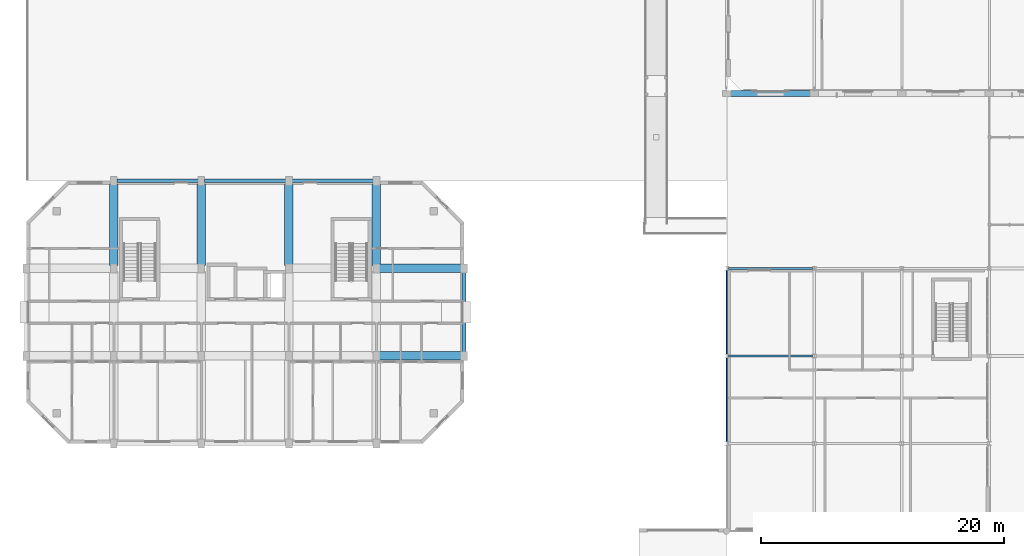
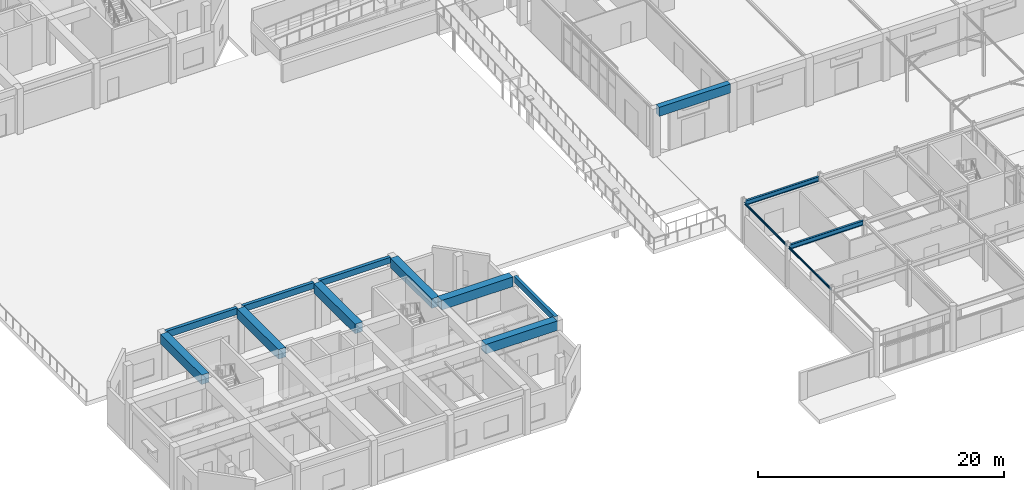
# One storey, part 25 of 85: 15 beams.
"""IFC4 building model written with IfcOpenShell, lengths in metres."""

from ifc_helpers import new_model, si_unit, direction, frame, origin, origin_2d, place, context, subcontext, project, spatial, rectangle, i_section, u_section, extrude, material, material_profile, profile_set, type_object, element, save


model = new_model("IFC4")

# Units and contexts
model_context = context("Model", 3, precision=1e-05, world=origin(), true_north=direction((0.0, 1.0)))
body_context = subcontext(model_context, "Body", "Model", "MODEL_VIEW")
ifc_project = project(units=[si_unit("LENGTHUNIT", "METRE"), si_unit("AREAUNIT", "SQUARE_METRE"), si_unit("VOLUMEUNIT", "CUBIC_METRE"), si_unit("PLANEANGLEUNIT", "RADIAN"), si_unit("MASSUNIT", "GRAM", prefix="KILO")], contexts=[model_context])

# Site, building, storey
site_placement = place(None, origin())
site = spatial("IfcSite", under=ifc_project, at=site_placement, CompositionType="ELEMENT")
building_placement = place(site_placement, origin())
building = spatial("IfcBuilding", under=site, at=building_placement, Name="Ochrevale Crest", CompositionType="ELEMENT")
storey_placement = place(building_placement, origin())
storey = spatial("IfcBuildingStorey", under=building, at=storey_placement, Name="L00", CompositionType="ELEMENT", Elevation=0.0)

# Beams
ifc_material_1 = material(Name="Steel S355", Category="steel")
ifc_material_profile_1 = material_profile(ifc_material_1, u_section(Depth=0.22998046875, FlangeWidth=0.074951171875, WebThickness=0.006591796875, FlangeThickness=0.011962890625, FilletRadius=0.011962890625, at=origin_2d()), Name="230PFC")
ifc_profile_set_1 = profile_set([ifc_material_profile_1], Name="Steel S355")
beam_type_1 = type_object("IfcBeamType", Name="BM-PFC230", PredefinedType="SPANDREL", material=ifc_profile_set_1)
for number, where, z_axis, x_axis, name in (
    (1, (57.60009765625, 14.550048828125, 4.06005859375), (0.0, 1.0, 0.0), (-1.0, 0.0, 0.0), "Retail arcade L00 N-S beam X=57.6"),
    (2, (57.60009765625, 21.75, 4.06005859375), (0.0, 1.0, 0.0), (-1.0, 0.0, 0.0), "Retail arcade L00 N-S beam X=57.6"),
):
    element("IfcBeam", number, at=place(storey_placement, frame(where, z_axis=z_axis, x_axis=x_axis)), inside=storey, type_object=beam_type_1, Name=name, PredefinedType="SPANDREL", context=body_context, shape_type="SweptSolid", body=[
        extrude(u_section(Depth=0.22998046875, FlangeWidth=0.074951171875, WebThickness=0.006591796875, FlangeThickness=0.011962890625, FilletRadius=0.011962890625, at=origin_2d()), origin(), (0.0, 0.0, 1.0), 6.89990234375),
    ])
ifc_material_2 = material(Name="Concrete C50/60", Category="concrete")
ifc_material_profile_2 = material_profile(ifc_material_2, rectangle(XDim=0.5, YDim=0.89990234375, at=origin_2d()), Name="RC 500x900")
ifc_profile_set_2 = profile_set([ifc_material_profile_2], Name="Concrete C50/60")
beam_type_2 = type_object("IfcBeamType", Name="BM-RB500x900", PredefinedType="BEAM", material=ifc_profile_set_2)
beam_1_placement = place(storey_placement, frame((57.844970703125, 43.199951171875, 4.35009765625), z_axis=(1.0, 0.0, 0.0), x_axis=(0.0, 1.0, 0.0)))
element("IfcBeam", 3, at=beam_1_placement, inside=storey, type_object=beam_type_2, Name="Vault springing ring beam RB-1-S", PredefinedType="BEAM", context=body_context, shape_type="SweptSolid", body=[
    extrude(rectangle(XDim=0.5, YDim=0.89990234375, at=origin_2d()), origin(), (0.0, 0.0, 1.0), 6.7099609375),
])
ifc_material_3 = material(Name="Precast concrete C40/50", Category="concrete")
ifc_material_profile_3 = material_profile(ifc_material_3, rectangle(XDim=0.300048828125, YDim=0.580078125, at=origin_2d()), Name="PC 300x580")
ifc_profile_set_3 = profile_set([ifc_material_profile_3], Name="Precast concrete C40/50")
beam_type_3 = type_object("IfcBeamType", Name="BM-SP300x580", PredefinedType="SPANDREL", material=ifc_profile_set_3)
beam_2_placement = place(storey_placement, frame((21.85009765625, 36.0, 4.2099609375), z_axis=(1.0, 0.0, 0.0), x_axis=(0.0, 1.0, 0.0)))
element("IfcBeam", 4, at=beam_2_placement, inside=storey, type_object=beam_type_3, Name="Block A L00 E-W beam Y=36.0", PredefinedType="SPANDREL", context=body_context, shape_type="SweptSolid", body=[
    extrude(rectangle(XDim=0.300048828125, YDim=0.580078125, at=origin_2d()), origin(), (0.0, 0.0, 1.0), 6.699951171875),
])
ifc_material_profile_4 = material_profile(ifc_material_3, rectangle(XDim=0.300048828125, YDim=0.60009765625, at=origin_2d()), Name="PC 300x600")
ifc_profile_set_4 = profile_set([ifc_material_profile_4], Name="Precast concrete C40/50")
beam_type_4 = type_object("IfcBeamType", Name="BM-SP300x600", PredefinedType="SPANDREL", material=ifc_profile_set_4)
beam_3_placement = place(storey_placement, frame((14.64990234375, 36.0, 4.199951171875), z_axis=(1.0, 0.0, 0.0), x_axis=(0.0, 1.0, 0.0)))
element("IfcBeam", 5, at=beam_3_placement, inside=storey, type_object=beam_type_4, Name="Block A L00 E-W beam Y=36.0", PredefinedType="SPANDREL", context=body_context, shape_type="SweptSolid", body=[
    extrude(rectangle(XDim=0.300048828125, YDim=0.60009765625, at=origin_2d()), origin(), (0.0, 0.0, 1.0), 6.7001953125),
])
beam_4_placement = place(storey_placement, frame((36.0, 21.85498046875, 4.199951171875), z_axis=(0.0, 1.0, 0.0), x_axis=(-1.0, 0.0, 0.0)))
element("IfcBeam", 6, at=beam_4_placement, inside=storey, type_object=beam_type_4, Name="Block A L00 N-S beam X=36.0", PredefinedType="SPANDREL", context=body_context, shape_type="SweptSolid", body=[
    extrude(rectangle(XDim=0.300048828125, YDim=0.60009765625, at=origin_2d()), origin(), (0.0, 0.0, 1.0), 6.68994140625),
])
ifc_material_profile_5 = material_profile(ifc_material_3, rectangle(XDim=0.300048828125, YDim=0.64990234375, at=origin_2d()), Name="PC 300x650")
ifc_profile_set_5 = profile_set([ifc_material_profile_5], Name="Precast concrete C40/50")
beam_type_5 = type_object("IfcBeamType", Name="BM-SP300x650", PredefinedType="SPANDREL", material=ifc_profile_set_5)
beam_5_placement = place(storey_placement, frame((7.449951171875, 36.0, 4.175048828125), z_axis=(1.0, 0.0, 0.0), x_axis=(0.0, 1.0, 0.0)))
element("IfcBeam", 7, at=beam_5_placement, inside=storey, type_object=beam_type_5, Name="Block A L00 E-W beam Y=36.0", PredefinedType="SPANDREL", context=body_context, shape_type="SweptSolid", body=[
    extrude(rectangle(XDim=0.300048828125, YDim=0.64990234375, at=origin_2d()), origin(), (0.0, 0.0, 1.0), 6.699951171875),
])
ifc_material_profile_6 = material_profile(ifc_material_2, rectangle(XDim=0.699951171875, YDim=0.949951171875, at=origin_2d()), Name="RC 700x950")
ifc_profile_set_6 = profile_set([ifc_material_profile_6], Name="Concrete C50/60")
beam_type_6 = type_object("IfcBeamType", Name="BM-TG700x950", PredefinedType="USERDEFINED", material=ifc_profile_set_6)
for number, where, z_axis, x_axis, name in (
    (8, (29.050048828125, 21.60009765625, 4.02490234375), (1.0, 0.0, 0.0), (0.0, 1.0, 0.0), "Block A L00 E-W beam Y=21.6"),
    (9, (29.050048828125, 28.800048828125, 4.02490234375), (1.0, 0.0, 0.0), (0.0, 1.0, 0.0), "Block A L00 E-W beam Y=28.8"),
):
    element("IfcBeam", number, at=place(storey_placement, frame(where, z_axis=z_axis, x_axis=x_axis)), inside=storey, type_object=beam_type_6, Name=name, ObjectType="GIRDER", PredefinedType="USERDEFINED", context=body_context, shape_type="SweptSolid", body=[
        extrude(rectangle(XDim=0.699951171875, YDim=0.949951171875, at=origin_2d()), origin(), (0.0, 0.0, 1.0), 6.699951171875),
    ])
for number, where, z_axis, x_axis, name in (
    (10, (7.199951171875, 29.054931640625, 4.02490234375), (0.0, 1.0, 0.0), (-1.0, 0.0, 0.0), "Block A L00 N-S beam X=7.2"),
    (11, (14.39990234375, 29.054931640625, 4.02490234375), (0.0, 1.0, 0.0), (-1.0, 0.0, 0.0), "Block A L00 N-S beam X=14.4"),
    (12, (21.60009765625, 29.054931640625, 4.02490234375), (0.0, 1.0, 0.0), (-1.0, 0.0, 0.0), "Block A L00 N-S beam X=21.6"),
    (13, (28.800048828125, 29.054931640625, 4.02490234375), (0.0, 1.0, 0.0), (-1.0, 0.0, 0.0), "Block A L00 N-S beam X=28.8"),
):
    element("IfcBeam", number, at=place(storey_placement, frame(where, z_axis=z_axis, x_axis=x_axis)), inside=storey, type_object=beam_type_6, Name=name, ObjectType="GIRDER", PredefinedType="USERDEFINED", context=body_context, shape_type="SweptSolid", body=[
        extrude(rectangle(XDim=0.699951171875, YDim=0.949951171875, at=origin_2d()), origin(), (0.0, 0.0, 1.0), 6.690185546875),
    ])
ifc_material_profile_7 = material_profile(ifc_material_1, i_section(OverallWidth=0.18994140625, OverallDepth=0.453857421875, WebThickness=0.008544921875, FlangeThickness=0.0126953125, FilletRadius=0.011474609375, at=origin_2d()), Name="460UB67.1")
ifc_profile_set_7 = profile_set([ifc_material_profile_7], Name="Steel S355")
beam_type_7 = type_object("IfcBeamType", Name="BM-UB460", PredefinedType="USERDEFINED", material=ifc_profile_set_7)
for number, where, z_axis, x_axis, name in (
    (14, (57.75, 21.60009765625, 3.947998046875), (1.0, 0.0, 0.0), (0.0, 1.0, 0.0), "Retail arcade L00 E-W beam Y=21.6"),
    (15, (57.75, 28.800048828125, 3.947998046875), (1.0, 0.0, 0.0), (0.0, 1.0, 0.0), "Retail arcade L00 E-W beam Y=28.8"),
):
    element("IfcBeam", number, at=place(storey_placement, frame(where, z_axis=z_axis, x_axis=x_axis)), inside=storey, type_object=beam_type_7, Name=name, ObjectType="GIRDER", PredefinedType="USERDEFINED", context=body_context, shape_type="SweptSolid", body=[
        extrude(i_section(OverallWidth=0.18994140625, OverallDepth=0.453857421875, WebThickness=0.008544921875, FlangeThickness=0.0126953125, FilletRadius=0.011474609375, at=origin_2d()), origin(), (0.0, 0.0, 1.0), 6.89990234375),
    ])

save(model, "model.ifc")
